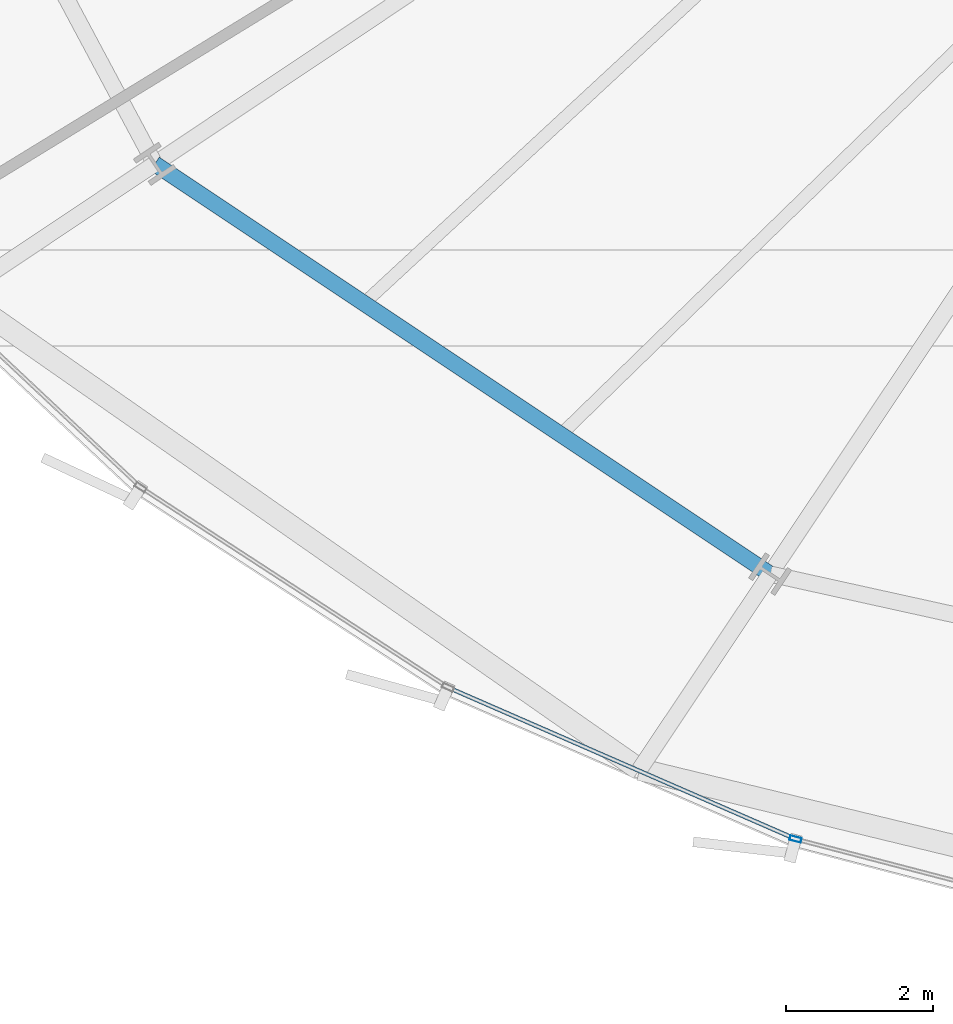
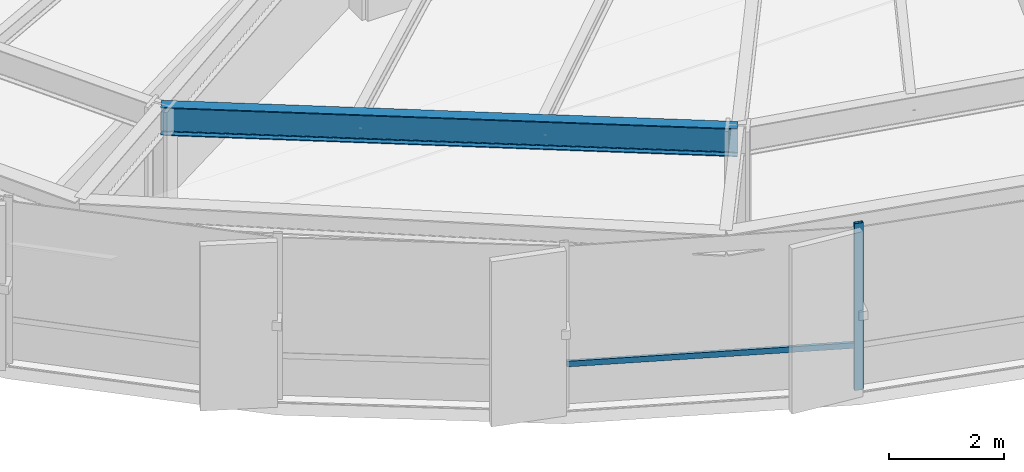
# One storey, part 4 of 37: 2 members, 1 beam, 1 element without a shape of its own.
"""IFC4 building model written with IfcOpenShell, lengths in metres."""

from ifc_helpers import new_model, si_unit, direction, frame, origin, origin_2d, place, context, subcontext, project, spatial, hollow_rectangle, i_section, extrude, source, transform, mapped, material, layer, layer_set, material_profile, profile_set, type_object, element, aggregate, save


model = new_model("IFC4")

# Units and contexts
model_context = context("Model", 3, precision=1e-05, world=origin(), true_north=direction((0.0, 1.0)))
body_context = subcontext(model_context, "Body", "Model", "MODEL_VIEW")
ifc_project = project(units=[si_unit("LENGTHUNIT", "METRE"), si_unit("AREAUNIT", "SQUARE_METRE"), si_unit("VOLUMEUNIT", "CUBIC_METRE"), si_unit("PLANEANGLEUNIT", "RADIAN"), si_unit("MASSUNIT", "GRAM", prefix="KILO"), si_unit("THERMODYNAMICTEMPERATUREUNIT", "KELVIN")], contexts=[model_context])

# Site, building, storey
site_placement = place(None, origin())
site = spatial("IfcSite", under=ifc_project, at=site_placement, CompositionType="ELEMENT")
building_placement = place(site_placement, origin())
building = spatial("IfcBuilding", under=site, at=building_placement, Name="Kethvar Cultural Tower", CompositionType="ELEMENT")
storey_placement = place(building_placement, frame((0.0, 0.0, 56.199951171875)))
storey = spatial("IfcBuildingStorey", under=building, at=storey_placement, Name="L13", CompositionType="ELEMENT", Elevation=56.199951171875)

# Beam
ifc_material_1 = material(Name="Steel S355J2", Category="steel")
ifc_material_profile_1 = material_profile(ifc_material_1, i_section(OverallWidth=0.219970703125, OverallDepth=0.60009765625, WebThickness=0.011962890625, FlangeThickness=0.01904296875, FilletRadius=0.02392578125, at=origin_2d()), Name="Steel S355J2 — IPE600")
ifc_profile_set_1 = profile_set([ifc_material_profile_1], Name="Steel S355J2 — IPE600")
beam_type = type_object("IfcBeamType", Name="BM-IPE600", PredefinedType="BEAM", material=ifc_profile_set_1)
shared_shape_1 = source(origin(), body_context, "Body", "SweptSolid", [
    extrude(i_section(OverallWidth=0.219970703125, OverallDepth=0.60009765625, WebThickness=0.011962890625, FlangeThickness=0.01904296875, FilletRadius=0.02392578125, at=origin_2d()), origin(), (0.0, 0.0, 1.0), 10.06787109375),
])
beam_placement = place(storey_placement, frame((24.9248046875, 13.183349609375, 3.248046875), z_axis=(0.832065216665, -0.554677812083, 0.0), x_axis=(0.554677812083, 0.832065216665, 0.0)))
element("IfcBeam", 1, at=beam_placement, inside=storey, type_object=beam_type, Name="L13 Column Ring Tie Beam CR-10", PredefinedType="BEAM", context=body_context, shape_type="MappedRepresentation", body=[
    mapped(shared_shape_1, transform((0.0, 0.0, 0.0), scale=1.0)),
])

# Curtain wall, members
ifc_material_2 = material(Name="Aluminium 6063-T6", Category="aluminium")
ifc_layer = layer(ifc_material_2, 0.179931640625, Name="Aluminium 6063-T6", Category="aluminium")
ifc_layer_set = layer_set([ifc_layer], Name="Aluminium 6063-T6 (180 mm)")
curtain_wall_type = type_object("IfcCurtainWallType", Name="CW-SYS-02-Z1", PredefinedType="NOTDEFINED", material=ifc_layer_set)
curtain_wall_placement = place(storey_placement, origin())
curtain_wall = element("IfcCurtainWall", 2, at=curtain_wall_placement, inside=storey, type_object=curtain_wall_type, Name="L13 Curtain Wall Run 05", PredefinedType="NOTDEFINED")
ifc_material_profile_2 = material_profile(ifc_material_2, hollow_rectangle(XDim=0.06494140625, YDim=0.159912109375, WallThickness=0.0048828125, at=origin_2d()), Name="Aluminium 6063-T6 — RHS160x65x5")
ifc_profile_set_2 = profile_set([ifc_material_profile_2], Name="Aluminium 6063-T6 — RHS160x65x5")
member_type_1 = type_object("IfcMemberType", Name="CW-SYS-02-Z1-MUL", PredefinedType="MULLION", material=ifc_profile_set_2)
shared_shape_2 = source(origin(), body_context, "Body", "SweptSolid", [
    extrude(hollow_rectangle(XDim=0.06494140625, YDim=0.159912109375, WallThickness=0.0048828125, at=origin_2d()), origin(), (0.0, 0.0, 1.0), 3.550048828125),
])
member_1_placement = place(storey_placement, frame((33.64697265625, 3.991455078125, 0.0), z_axis=(0.0, 0.0, 1.0), x_axis=(0.25242402524, 0.96761671724, 0.0)))
member_1 = element("IfcMember", 3, at=member_1_placement, type_object=member_type_1, Name="CW-L13-R05 Mullion 5", PredefinedType="MULLION", context=body_context, shape_type="MappedRepresentation", body=[
    mapped(shared_shape_2, transform((0.0, 0.0, 0.0), scale=1.0)),
])
ifc_material_profile_3 = material_profile(ifc_material_2, hollow_rectangle(XDim=0.054931640625, YDim=0.1201171875, WallThickness=0.00390625, at=origin_2d()), Name="Aluminium 6063-T6 — RHS120x55x4")
ifc_profile_set_3 = profile_set([ifc_material_profile_3], Name="Aluminium 6063-T6 — RHS120x55x4")
member_type_2 = type_object("IfcMemberType", Name="CW-SYS-02-Z1-TRN", PredefinedType="USERDEFINED", material=ifc_profile_set_3)
shared_shape_3 = source(origin(), body_context, "Body", "SweptSolid", [
    extrude(hollow_rectangle(XDim=0.054931640625, YDim=0.1201171875, WallThickness=0.00390625, at=origin_2d()), origin(), (0.0, 0.0, 1.0), 5.085693359375),
])
member_2_placement = place(storey_placement, frame((28.9599609375, 6.03662109375, 0.949951171875), z_axis=(0.916651322498, -0.399687819383, 0.0), x_axis=(0.399687819383, 0.916651322498, 0.0)))
member_2 = element("IfcMember", 4, at=member_2_placement, type_object=member_type_2, Name="CW-L13-R05 Transom 4", ObjectType="TRANSOM", PredefinedType="USERDEFINED", context=body_context, shape_type="MappedRepresentation", body=[
    mapped(shared_shape_3, transform((0.0, 0.0, 0.0), scale=1.0)),
])
aggregate(curtain_wall, [member_1, member_2])

save(model, "model.ifc")
